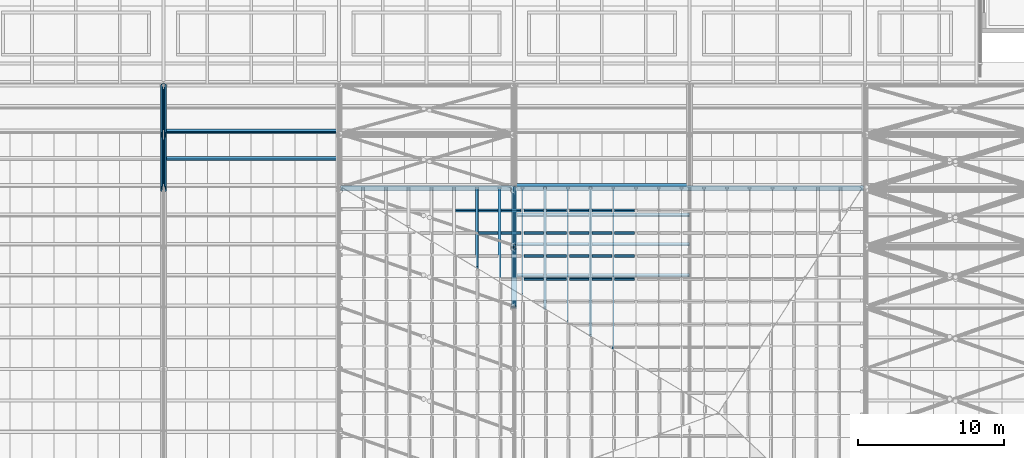
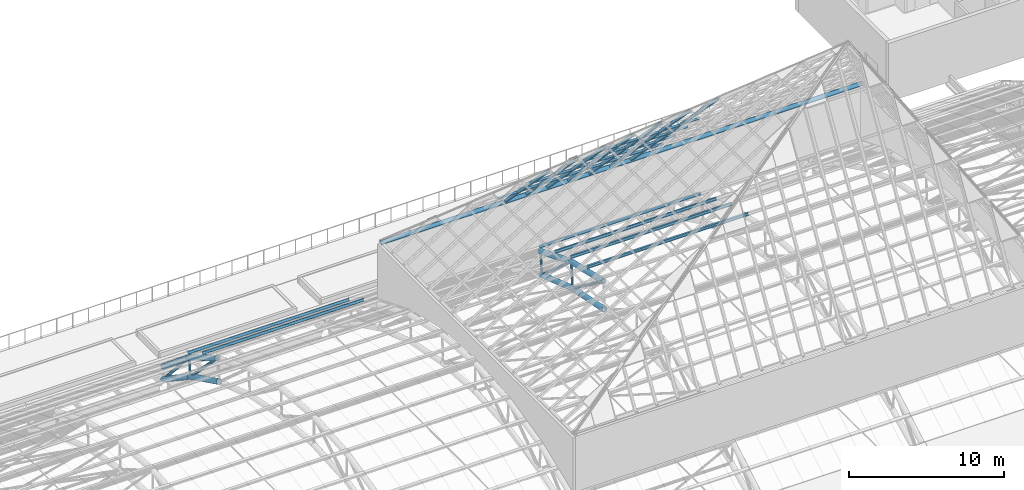
# One storey, part 23 of 110: 53 members, 1 beam.
"""IFC4 building model written with IfcOpenShell, lengths in metres."""

from ifc_helpers import new_model, si_unit, direction, frame, origin, origin_2d, place, context, subcontext, project, spatial, hollow_rectangle, hollow_circle, i_section, extrude, material, material_profile, profile_set, type_object, element, save


model = new_model("IFC4")

# Units and contexts
model_context = context("Model", 3, precision=1e-05, world=origin(), true_north=direction((0.0, 1.0)))
body_context = subcontext(model_context, "Body", "Model", "MODEL_VIEW")
ifc_project = project(units=[si_unit("LENGTHUNIT", "METRE"), si_unit("AREAUNIT", "SQUARE_METRE"), si_unit("VOLUMEUNIT", "CUBIC_METRE"), si_unit("PLANEANGLEUNIT", "RADIAN"), si_unit("MASSUNIT", "GRAM", prefix="KILO")], contexts=[model_context])

# Site, building, storey
site_placement = place(None, origin())
site = spatial("IfcSite", under=ifc_project, at=site_placement, CompositionType="ELEMENT")
building_placement = place(site_placement, origin())
building = spatial("IfcBuilding", under=site, at=building_placement, Name="Windward Yard Aquatics Centre", CompositionType="ELEMENT")
storey_placement = place(building_placement, frame((0.0, 0.0, 22.60009765625)))
storey = spatial("IfcBuildingStorey", under=building, at=storey_placement, Name="L05", CompositionType="ELEMENT", Elevation=22.60009765625)

# Members
ifc_material_1 = material(Name="Steel ASTM A500 Gr C", Category="steel")
ifc_material_profile_1 = material_profile(ifc_material_1, hollow_circle(Radius=0.084228515625, WallThickness=0.010986328125, at=origin_2d()), Name="HSS168.3X11")
ifc_profile_set_1 = profile_set([ifc_material_profile_1], Name="Steel ASTM A500 Gr C")
member_type_1 = type_object("IfcMemberType", Name="H arch post HSS168.3X11", PredefinedType="POST", material=ifc_profile_set_1)
member_1_placement = place(storey_placement, frame((84.0, 76.935302734375, 2.319580078125), z_axis=(0.0, 0.111745510026, 0.993736857015), x_axis=(-1.0, 0.0, 0.0)))
element("IfcMember", 1, at=member_1_placement, inside=storey, type_object=member_type_1, Name="H.AT.3.WP10", PredefinedType="POST", context=body_context, shape_type="SweptSolid", body=[
    extrude(hollow_circle(Radius=0.084228515625, WallThickness=0.010986328125, at=origin_2d()), origin(), (0.0, 0.0, 1.0), 1.406982421875),
])
member_2_placement = place(storey_placement, frame((108.0, 69.249755859375, 5.5087890625), z_axis=(0.0, 0.094018625473, 0.995570438525), x_axis=(-1.0, 0.0, 0.0)))
element("IfcMember", 2, at=member_2_placement, inside=storey, type_object=member_type_1, Name="H.AT.5.WP08", PredefinedType="POST", context=body_context, shape_type="SweptSolid", body=[
    extrude(hollow_circle(Radius=0.084228515625, WallThickness=0.010986328125, at=origin_2d()), origin(), (0.0, 0.0, 1.0), 1.996826171875),
])
member_3_placement = place(storey_placement, frame((108.0, 73.197265625, 4.16650390625), z_axis=(0.0, 0.121591772527, 0.992580193664), x_axis=(-1.0, 0.0, 0.0)))
element("IfcMember", 3, at=member_3_placement, inside=storey, type_object=member_type_1, Name="H.AT.5.WP09", PredefinedType="POST", context=body_context, shape_type="SweptSolid", body=[
    extrude(hollow_circle(Radius=0.084228515625, WallThickness=0.010986328125, at=origin_2d()), origin(), (0.0, 0.0, 1.0), 1.746826171875),
])
ifc_material_profile_2 = material_profile(ifc_material_1, hollow_circle(Radius=0.203125, WallThickness=0.015869140625, at=origin_2d()), Name="HSS406.4X15.9")
ifc_profile_set_2 = profile_set([ifc_material_profile_2], Name="Steel ASTM A500 Gr C")
member_type_2 = type_object("IfcMemberType", Name="H arch top chord HSS406.4X15.9", PredefinedType="CHORD", material=ifc_profile_set_2)
member_4_placement = place(storey_placement, frame((84.0, 73.40966796875, 5.900390625), z_axis=(0.0, 0.860273006082, -0.509833654251), x_axis=(-1.0, 0.0, 0.0)))
element("IfcMember", 4, at=member_4_placement, inside=storey, type_object=member_type_2, Name="H.AT.3.TC09", PredefinedType="CHORD", context=body_context, shape_type="SweptSolid", body=[
    extrude(hollow_circle(Radius=0.203125, WallThickness=0.015869140625, at=origin_2d()), origin(), (0.0, 0.0, 1.0), 4.281005859375),
])
member_5_placement = place(storey_placement, frame((84.0, 73.197265625, 4.16650390625), z_axis=(0.0, 0.896536837976, -0.4429691842), x_axis=(-1.0, 0.0, 0.0)))
element("IfcMember", 5, at=member_5_placement, inside=storey, type_object=member_type_2, Name="H.AT.3.BC09", PredefinedType="CHORD", context=body_context, shape_type="SweptSolid", body=[
    extrude(hollow_circle(Radius=0.203125, WallThickness=0.015869140625, at=origin_2d()), origin(), (0.0, 0.0, 1.0), 4.16943359375),
])
member_6_placement = place(storey_placement, frame((84.0, 77.092529296875, 3.7177734375), z_axis=(0.0, 0.772611352747, -0.634879277979), x_axis=(-1.0, 0.0, 0.0)))
element("IfcMember", 6, at=member_6_placement, inside=storey, type_object=member_type_2, Name="H.AT.3.TC10", PredefinedType="CHORD", context=body_context, shape_type="SweptSolid", body=[
    extrude(hollow_circle(Radius=0.203125, WallThickness=0.015869140625, at=origin_2d()), origin(), (0.0, 0.0, 1.0), 4.28076171875),
])
member_7_placement = place(storey_placement, frame((84.0, 76.935302734375, 2.319580078125), z_axis=(0.0, 0.83095865789, -0.556334170151), x_axis=(-1.0, 0.0, 0.0)))
element("IfcMember", 7, at=member_7_placement, inside=storey, type_object=member_type_2, Name="H.AT.3.BC10", PredefinedType="CHORD", context=body_context, shape_type="SweptSolid", body=[
    extrude(hollow_circle(Radius=0.203125, WallThickness=0.015869140625, at=origin_2d()), origin(), (0.0, 0.0, 1.0), 4.16943359375),
])
member_8_placement = place(storey_placement, frame((108.0, 65.2685546875, 8.4697265625), z_axis=(0.0, 0.973833637334, -0.227262066337), x_axis=(-1.0, 0.0, 0.0)))
element("IfcMember", 8, at=member_8_placement, inside=storey, type_object=member_type_2, Name="H.AT.5.TC07", PredefinedType="CHORD", context=body_context, shape_type="SweptSolid", body=[
    extrude(hollow_circle(Radius=0.203125, WallThickness=0.015869140625, at=origin_2d()), origin(), (0.0, 0.0, 1.0), 4.281005859375),
])
member_9_placement = place(storey_placement, frame((108.0, 65.16064453125, 6.323486328125), z_axis=(0.0, 0.980724544319, -0.195395414914), x_axis=(-1.0, 0.0, 0.0)))
element("IfcMember", 9, at=member_9_placement, inside=storey, type_object=member_type_2, Name="H.AT.5.BC07", PredefinedType="CHORD", context=body_context, shape_type="SweptSolid", body=[
    extrude(hollow_circle(Radius=0.203125, WallThickness=0.015869140625, at=origin_2d()), origin(), (0.0, 0.0, 1.0), 4.16943359375),
])
member_10_placement = place(storey_placement, frame((108.0, 69.4375, 7.496826171875), z_axis=(0.0, 0.92786581708, -0.372914233429), x_axis=(-1.0, 0.0, 0.0)))
element("IfcMember", 10, at=member_10_placement, inside=storey, type_object=member_type_2, Name="H.AT.5.TC08", PredefinedType="CHORD", context=body_context, shape_type="SweptSolid", body=[
    extrude(hollow_circle(Radius=0.203125, WallThickness=0.015869140625, at=origin_2d()), origin(), (0.0, 0.0, 1.0), 4.281005859375),
])
member_11_placement = place(storey_placement, frame((108.0, 69.249755859375, 5.5087890625), z_axis=(0.0, 0.946763107829, -0.321931075938), x_axis=(-1.0, 0.0, 0.0)))
element("IfcMember", 11, at=member_11_placement, inside=storey, type_object=member_type_2, Name="H.AT.5.BC08", PredefinedType="CHORD", context=body_context, shape_type="SweptSolid", body=[
    extrude(hollow_circle(Radius=0.203125, WallThickness=0.015869140625, at=origin_2d()), origin(), (0.0, 0.0, 1.0), 4.16943359375),
])
ifc_material_profile_3 = material_profile(ifc_material_1, hollow_circle(Radius=0.109619140625, WallThickness=0.00830078125, at=origin_2d()), Name="HSS219.1X8.2")
ifc_profile_set_3 = profile_set([ifc_material_profile_3], Name="Steel ASTM A500 Gr C")
member_type_3 = type_object("IfcMemberType", Name="H arch web diagonal HSS219.1X8.2", PredefinedType="BRACE", material=ifc_profile_set_3)
member_12_placement = place(storey_placement, frame((84.0, 73.40966796875, 5.900390625), z_axis=(0.0, 0.701595524129, -0.712575413919), x_axis=(-1.0, 0.0, 0.0)))
element("IfcMember", 12, at=member_12_placement, inside=storey, type_object=member_type_3, Name="H.AT.3.WD09", PredefinedType="BRACE", context=body_context, shape_type="SweptSolid", body=[
    extrude(hollow_circle(Radius=0.109619140625, WallThickness=0.00830078125, at=origin_2d()), origin(), (0.0, 0.0, 1.0), 5.025146484375),
])
member_13_placement = place(storey_placement, frame((84.0, 77.092529296875, 3.7177734375), z_axis=(0.0, 0.664665272452, -0.747141268835), x_axis=(-1.0, 0.0, 0.0)))
element("IfcMember", 13, at=member_13_placement, inside=storey, type_object=member_type_3, Name="H.AT.3.WD10", PredefinedType="BRACE", context=body_context, shape_type="SweptSolid", body=[
    extrude(hollow_circle(Radius=0.109619140625, WallThickness=0.00830078125, at=origin_2d()), origin(), (0.0, 0.0, 1.0), 4.97607421875),
])
member_14_placement = place(storey_placement, frame((108.0, 65.2685546875, 8.4697265625), z_axis=(0.0, 0.802408568981, -0.596775073563), x_axis=(-1.0, 0.0, 0.0)))
element("IfcMember", 14, at=member_14_placement, inside=storey, type_object=member_type_3, Name="H.AT.5.WD07", PredefinedType="BRACE", context=body_context, shape_type="SweptSolid", body=[
    extrude(hollow_circle(Radius=0.109619140625, WallThickness=0.00830078125, at=origin_2d()), origin(), (0.0, 0.0, 1.0), 4.961669921875),
])
member_15_placement = place(storey_placement, frame((108.0, 69.4375, 7.496826171875), z_axis=(0.0, 0.748564053538, -0.663062484047), x_axis=(-1.0, 0.0, 0.0)))
element("IfcMember", 15, at=member_15_placement, inside=storey, type_object=member_type_3, Name="H.AT.5.WD08", PredefinedType="BRACE", context=body_context, shape_type="SweptSolid", body=[
    extrude(hollow_circle(Radius=0.109619140625, WallThickness=0.00830078125, at=origin_2d()), origin(), (0.0, 0.0, 1.0), 5.022705078125),
])

# Beam
ifc_material_2 = material(Name="Steel ASTM A992 Gr 50", Category="steel")
ifc_material_profile_4 = material_profile(ifc_material_2, i_section(OverallWidth=0.202880859375, OverallDepth=0.302001953125, WebThickness=0.007568359375, FlangeThickness=0.01318359375, at=origin_2d()), Name="W310X60")
ifc_profile_set_4 = profile_set([ifc_material_profile_4], Name="Steel ASTM A992 Gr 50")
beam_type = type_object("IfcBeamType", Name="H lantern eave beam W310X60", PredefinedType="BEAM", material=ifc_profile_set_4)
beam_placement = place(storey_placement, frame((131.89990234375, 73.35498046875, 10.76416015625), z_axis=(-1.0, 0.0, 0.0), x_axis=(0.0, -0.695550485066, 0.718477224917)))
element("IfcBeam", 16, at=beam_placement, inside=storey, type_object=beam_type, Name="H.LN.E.03", PredefinedType="BEAM", context=body_context, shape_type="SweptSolid", body=[
    extrude(i_section(OverallWidth=0.202880859375, OverallDepth=0.302001953125, WebThickness=0.007568359375, FlangeThickness=0.01318359375, at=origin_2d()), origin(), (0.0, 0.0, 1.0), 35.7998046875),
])

# Members
ifc_material_profile_5 = material_profile(ifc_material_1, hollow_rectangle(XDim=0.15234375, YDim=0.15234375, WallThickness=0.009521484375, InnerFilletRadius=0.004638671875, OuterFilletRadius=0.01416015625, at=origin_2d()), Name="HSS152X152X9.5")
ifc_profile_set_5 = profile_set([ifc_material_profile_5], Name="Steel ASTM A500 Gr C")
member_type_4 = type_object("IfcMemberType", Name="H lantern purlin HSS152X152X9.5", PredefinedType="PURLIN", material=ifc_profile_set_5)
for number, where, z_axis, x_axis, name in (
    (17, (103.984130859375, 71.84765625, 12.4287109375), (1.0, 0.0, 0.0), (0.0, 0.695550485066, -0.718477224917), "H.LN.U.03.01.05"),
    (18, (105.540771484375, 71.84765625, 12.4287109375), (1.0, 0.0, 0.0), (0.0, 0.695550485066, -0.718477224917), "H.LN.U.03.01.06"),
    (19, (107.097412109375, 71.84765625, 12.4287109375), (1.0, 0.0, 0.0), (0.0, 0.695550485066, -0.718477224917), "H.LN.U.03.01.07"),
    (20, (108.65380859375, 71.84765625, 12.4287109375), (1.0, 0.0, 0.0), (0.0, 0.695550485066, -0.718477224917), "H.LN.U.03.01.08"),
):
    element("IfcMember", number, at=place(storey_placement, frame(where, z_axis=z_axis, x_axis=x_axis)), inside=storey, type_object=member_type_4, Name=name, PredefinedType="PURLIN", context=body_context, shape_type="SweptSolid", body=[
        extrude(hollow_rectangle(XDim=0.15234375, YDim=0.15234375, WallThickness=0.009521484375, InnerFilletRadius=0.004638671875, OuterFilletRadius=0.01416015625, at=origin_2d()), origin(), (0.0, 0.0, 1.0), 1.353271484375),
    ])
member_16_placement = place(storey_placement, frame((110.210205078125, 71.84765625, 12.4287109375), z_axis=(1.0, 0.0, 0.0), x_axis=(0.0, 0.695550485066, -0.718477224917)))
element("IfcMember", 21, at=member_16_placement, inside=storey, type_object=member_type_4, Name="H.LN.U.03.01.09", PredefinedType="PURLIN", context=body_context, shape_type="SweptSolid", body=[
    extrude(hollow_rectangle(XDim=0.15234375, YDim=0.15234375, WallThickness=0.009521484375, InnerFilletRadius=0.004638671875, OuterFilletRadius=0.01416015625, at=origin_2d()), origin(), (0.0, 0.0, 1.0), 1.353515625),
])
member_17_placement = place(storey_placement, frame((111.766845703125, 71.84765625, 12.4287109375), z_axis=(1.0, 0.0, 0.0), x_axis=(0.0, 0.695550485066, -0.718477224917)))
element("IfcMember", 22, at=member_17_placement, inside=storey, type_object=member_type_4, Name="H.LN.U.03.01.10", PredefinedType="PURLIN", context=body_context, shape_type="SweptSolid", body=[
    extrude(hollow_rectangle(XDim=0.15234375, YDim=0.15234375, WallThickness=0.009521484375, InnerFilletRadius=0.004638671875, OuterFilletRadius=0.01416015625, at=origin_2d()), origin(), (0.0, 0.0, 1.0), 1.353271484375),
])
member_18_placement = place(storey_placement, frame((113.3232421875, 71.84765625, 12.4287109375), z_axis=(1.0, 0.0, 0.0), x_axis=(0.0, 0.695550485066, -0.718477224917)))
element("IfcMember", 23, at=member_18_placement, inside=storey, type_object=member_type_4, Name="H.LN.U.03.01.11", PredefinedType="PURLIN", context=body_context, shape_type="SweptSolid", body=[
    extrude(hollow_rectangle(XDim=0.15234375, YDim=0.15234375, WallThickness=0.009521484375, InnerFilletRadius=0.004638671875, OuterFilletRadius=0.01416015625, at=origin_2d()), origin(), (0.0, 0.0, 1.0), 1.353515625),
])
for number, where, z_axis, x_axis, name in (
    (24, (114.8798828125, 71.84765625, 12.4287109375), (1.0, 0.0, 0.0), (0.0, 0.695550485066, -0.718477224917), "H.LN.U.03.01.12"),
    (25, (105.540771484375, 70.28662109375, 14.04150390625), (1.0, 0.0, 0.0), (0.0, 0.695550485066, -0.718477224917), "H.LN.U.03.02.04"),
    (26, (107.097412109375, 70.28662109375, 14.04150390625), (1.0, 0.0, 0.0), (0.0, 0.695550485066, -0.718477224917), "H.LN.U.03.02.05"),
    (27, (108.65380859375, 70.28662109375, 14.04150390625), (1.0, 0.0, 0.0), (0.0, 0.695550485066, -0.718477224917), "H.LN.U.03.02.06"),
):
    element("IfcMember", number, at=place(storey_placement, frame(where, z_axis=z_axis, x_axis=x_axis)), inside=storey, type_object=member_type_4, Name=name, PredefinedType="PURLIN", context=body_context, shape_type="SweptSolid", body=[
        extrude(hollow_rectangle(XDim=0.15234375, YDim=0.15234375, WallThickness=0.009521484375, InnerFilletRadius=0.004638671875, OuterFilletRadius=0.01416015625, at=origin_2d()), origin(), (0.0, 0.0, 1.0), 1.353271484375),
    ])
member_19_placement = place(storey_placement, frame((110.210205078125, 70.28662109375, 14.04150390625), z_axis=(1.0, 0.0, 0.0), x_axis=(0.0, 0.695550485066, -0.718477224917)))
element("IfcMember", 28, at=member_19_placement, inside=storey, type_object=member_type_4, Name="H.LN.U.03.02.07", PredefinedType="PURLIN", context=body_context, shape_type="SweptSolid", body=[
    extrude(hollow_rectangle(XDim=0.15234375, YDim=0.15234375, WallThickness=0.009521484375, InnerFilletRadius=0.004638671875, OuterFilletRadius=0.01416015625, at=origin_2d()), origin(), (0.0, 0.0, 1.0), 1.353515625),
])
member_20_placement = place(storey_placement, frame((111.766845703125, 70.28662109375, 14.04150390625), z_axis=(1.0, 0.0, 0.0), x_axis=(0.0, 0.695550485066, -0.718477224917)))
element("IfcMember", 29, at=member_20_placement, inside=storey, type_object=member_type_4, Name="H.LN.U.03.02.08", PredefinedType="PURLIN", context=body_context, shape_type="SweptSolid", body=[
    extrude(hollow_rectangle(XDim=0.15234375, YDim=0.15234375, WallThickness=0.009521484375, InnerFilletRadius=0.004638671875, OuterFilletRadius=0.01416015625, at=origin_2d()), origin(), (0.0, 0.0, 1.0), 1.353271484375),
])
member_21_placement = place(storey_placement, frame((113.3232421875, 70.28662109375, 14.04150390625), z_axis=(1.0, 0.0, 0.0), x_axis=(0.0, 0.695550485066, -0.718477224917)))
element("IfcMember", 30, at=member_21_placement, inside=storey, type_object=member_type_4, Name="H.LN.U.03.02.09", PredefinedType="PURLIN", context=body_context, shape_type="SweptSolid", body=[
    extrude(hollow_rectangle(XDim=0.15234375, YDim=0.15234375, WallThickness=0.009521484375, InnerFilletRadius=0.004638671875, OuterFilletRadius=0.01416015625, at=origin_2d()), origin(), (0.0, 0.0, 1.0), 1.353515625),
])
for number, where, z_axis, x_axis, name in (
    (31, (114.8798828125, 70.28662109375, 14.04150390625), (1.0, 0.0, 0.0), (0.0, 0.695550485066, -0.718477224917), "H.LN.U.03.02.10"),
    (32, (108.65380859375, 68.725341796875, 15.654052734375), (1.0, 0.0, 0.0), (0.0, 0.695550485066, -0.718477224917), "H.LN.U.03.03.04"),
):
    element("IfcMember", number, at=place(storey_placement, frame(where, z_axis=z_axis, x_axis=x_axis)), inside=storey, type_object=member_type_4, Name=name, PredefinedType="PURLIN", context=body_context, shape_type="SweptSolid", body=[
        extrude(hollow_rectangle(XDim=0.15234375, YDim=0.15234375, WallThickness=0.009521484375, InnerFilletRadius=0.004638671875, OuterFilletRadius=0.01416015625, at=origin_2d()), origin(), (0.0, 0.0, 1.0), 1.353271484375),
    ])
member_22_placement = place(storey_placement, frame((110.210205078125, 68.725341796875, 15.654052734375), z_axis=(1.0, 0.0, 0.0), x_axis=(0.0, 0.695550485066, -0.718477224917)))
element("IfcMember", 33, at=member_22_placement, inside=storey, type_object=member_type_4, Name="H.LN.U.03.03.05", PredefinedType="PURLIN", context=body_context, shape_type="SweptSolid", body=[
    extrude(hollow_rectangle(XDim=0.15234375, YDim=0.15234375, WallThickness=0.009521484375, InnerFilletRadius=0.004638671875, OuterFilletRadius=0.01416015625, at=origin_2d()), origin(), (0.0, 0.0, 1.0), 1.353515625),
])
member_23_placement = place(storey_placement, frame((111.766845703125, 68.725341796875, 15.654052734375), z_axis=(1.0, 0.0, 0.0), x_axis=(0.0, 0.695550485066, -0.718477224917)))
element("IfcMember", 34, at=member_23_placement, inside=storey, type_object=member_type_4, Name="H.LN.U.03.03.06", PredefinedType="PURLIN", context=body_context, shape_type="SweptSolid", body=[
    extrude(hollow_rectangle(XDim=0.15234375, YDim=0.15234375, WallThickness=0.009521484375, InnerFilletRadius=0.004638671875, OuterFilletRadius=0.01416015625, at=origin_2d()), origin(), (0.0, 0.0, 1.0), 1.353271484375),
])
member_24_placement = place(storey_placement, frame((113.3232421875, 68.725341796875, 15.654052734375), z_axis=(1.0, 0.0, 0.0), x_axis=(0.0, 0.695550485066, -0.718477224917)))
element("IfcMember", 35, at=member_24_placement, inside=storey, type_object=member_type_4, Name="H.LN.U.03.03.07", PredefinedType="PURLIN", context=body_context, shape_type="SweptSolid", body=[
    extrude(hollow_rectangle(XDim=0.15234375, YDim=0.15234375, WallThickness=0.009521484375, InnerFilletRadius=0.004638671875, OuterFilletRadius=0.01416015625, at=origin_2d()), origin(), (0.0, 0.0, 1.0), 1.353515625),
])
for number, where, z_axis, x_axis, name in (
    (36, (114.8798828125, 68.725341796875, 15.654052734375), (1.0, 0.0, 0.0), (0.0, 0.695550485066, -0.718477224917), "H.LN.U.03.03.08"),
    (37, (108.65380859375, 67.1640625, 17.266845703125), (1.0, 0.0, 0.0), (0.0, 0.695550485066, -0.718477224917), "H.LN.U.03.04.03"),
):
    element("IfcMember", number, at=place(storey_placement, frame(where, z_axis=z_axis, x_axis=x_axis)), inside=storey, type_object=member_type_4, Name=name, PredefinedType="PURLIN", context=body_context, shape_type="SweptSolid", body=[
        extrude(hollow_rectangle(XDim=0.15234375, YDim=0.15234375, WallThickness=0.009521484375, InnerFilletRadius=0.004638671875, OuterFilletRadius=0.01416015625, at=origin_2d()), origin(), (0.0, 0.0, 1.0), 1.353271484375),
    ])
member_25_placement = place(storey_placement, frame((110.210205078125, 67.1640625, 17.266845703125), z_axis=(1.0, 0.0, 0.0), x_axis=(0.0, 0.695550485066, -0.718477224917)))
element("IfcMember", 38, at=member_25_placement, inside=storey, type_object=member_type_4, Name="H.LN.U.03.04.04", PredefinedType="PURLIN", context=body_context, shape_type="SweptSolid", body=[
    extrude(hollow_rectangle(XDim=0.15234375, YDim=0.15234375, WallThickness=0.009521484375, InnerFilletRadius=0.004638671875, OuterFilletRadius=0.01416015625, at=origin_2d()), origin(), (0.0, 0.0, 1.0), 1.353515625),
])
member_26_placement = place(storey_placement, frame((111.766845703125, 67.1640625, 17.266845703125), z_axis=(1.0, 0.0, 0.0), x_axis=(0.0, 0.695550485066, -0.718477224917)))
element("IfcMember", 39, at=member_26_placement, inside=storey, type_object=member_type_4, Name="H.LN.U.03.04.05", PredefinedType="PURLIN", context=body_context, shape_type="SweptSolid", body=[
    extrude(hollow_rectangle(XDim=0.15234375, YDim=0.15234375, WallThickness=0.009521484375, InnerFilletRadius=0.004638671875, OuterFilletRadius=0.01416015625, at=origin_2d()), origin(), (0.0, 0.0, 1.0), 1.353271484375),
])
member_27_placement = place(storey_placement, frame((113.3232421875, 67.1640625, 17.266845703125), z_axis=(1.0, 0.0, 0.0), x_axis=(0.0, 0.695550485066, -0.718477224917)))
element("IfcMember", 40, at=member_27_placement, inside=storey, type_object=member_type_4, Name="H.LN.U.03.04.06", PredefinedType="PURLIN", context=body_context, shape_type="SweptSolid", body=[
    extrude(hollow_rectangle(XDim=0.15234375, YDim=0.15234375, WallThickness=0.009521484375, InnerFilletRadius=0.004638671875, OuterFilletRadius=0.01416015625, at=origin_2d()), origin(), (0.0, 0.0, 1.0), 1.353515625),
])
member_28_placement = place(storey_placement, frame((114.8798828125, 67.1640625, 17.266845703125), z_axis=(1.0, 0.0, 0.0), x_axis=(0.0, 0.695550485066, -0.718477224917)))
element("IfcMember", 41, at=member_28_placement, inside=storey, type_object=member_type_4, Name="H.LN.U.03.04.07", PredefinedType="PURLIN", context=body_context, shape_type="SweptSolid", body=[
    extrude(hollow_rectangle(XDim=0.15234375, YDim=0.15234375, WallThickness=0.009521484375, InnerFilletRadius=0.004638671875, OuterFilletRadius=0.01416015625, at=origin_2d()), origin(), (0.0, 0.0, 1.0), 1.353271484375),
])
ifc_material_profile_6 = material_profile(ifc_material_1, hollow_rectangle(XDim=0.203125, YDim=0.203125, WallThickness=0.009521484375, InnerFilletRadius=0.004638671875, OuterFilletRadius=0.01416015625, at=origin_2d()), Name="HSS203X203X9.5")
ifc_profile_set_6 = profile_set([ifc_material_profile_6], Name="Steel ASTM A500 Gr C")
member_type_5 = type_object("IfcMemberType", Name="H lantern rafter HSS203X203X9.5", PredefinedType="RAFTER", material=ifc_profile_set_6)
member_29_placement = place(storey_placement, frame((105.439208984375, 73.390625, 10.798583984375), z_axis=(0.0, -0.695565355255, 0.71846282894), x_axis=(1.0, 0.0, 0.0)))
element("IfcMember", 42, at=member_29_placement, inside=storey, type_object=member_type_5, Name="H.LN.R.03.06", PredefinedType="RAFTER", context=body_context, shape_type="SweptSolid", body=[
    extrude(hollow_rectangle(XDim=0.203125, YDim=0.203125, WallThickness=0.009521484375, InnerFilletRadius=0.004638671875, OuterFilletRadius=0.01416015625, at=origin_2d()), origin(), (0.0, 0.0, 1.0), 7.826171875),
])
member_30_placement = place(storey_placement, frame((106.99560546875, 73.390625, 10.798583984375), z_axis=(0.0, -0.695558978555, 0.71846900236), x_axis=(1.0, 0.0, 0.0)))
element("IfcMember", 43, at=member_30_placement, inside=storey, type_object=member_type_5, Name="H.LN.R.03.07", PredefinedType="RAFTER", context=body_context, shape_type="SweptSolid", body=[
    extrude(hollow_rectangle(XDim=0.203125, YDim=0.203125, WallThickness=0.009521484375, InnerFilletRadius=0.004638671875, OuterFilletRadius=0.01416015625, at=origin_2d()), origin(), (0.0, 0.0, 1.0), 9.16455078125),
])
member_31_placement = place(storey_placement, frame((108.55224609375, 73.390625, 10.798583984375), z_axis=(0.0, -0.695565843422, 0.718462356331), x_axis=(1.0, 0.0, 0.0)))
element("IfcMember", 44, at=member_31_placement, inside=storey, type_object=member_type_5, Name="H.LN.R.03.08", PredefinedType="RAFTER", context=body_context, shape_type="SweptSolid", body=[
    extrude(hollow_rectangle(XDim=0.203125, YDim=0.203125, WallThickness=0.009521484375, InnerFilletRadius=0.004638671875, OuterFilletRadius=0.01416015625, at=origin_2d()), origin(), (0.0, 0.0, 1.0), 10.5029296875),
])
member_32_placement = place(storey_placement, frame((110.108642578125, 73.390625, 10.798583984375), z_axis=(0.0, -0.695560852987, 0.718467187694), x_axis=(1.0, 0.0, 0.0)))
element("IfcMember", 45, at=member_32_placement, inside=storey, type_object=member_type_5, Name="H.LN.R.03.09", PredefinedType="RAFTER", context=body_context, shape_type="SweptSolid", body=[
    extrude(hollow_rectangle(XDim=0.203125, YDim=0.203125, WallThickness=0.009521484375, InnerFilletRadius=0.004638671875, OuterFilletRadius=0.01416015625, at=origin_2d()), origin(), (0.0, 0.0, 1.0), 11.84130859375),
])
member_33_placement = place(storey_placement, frame((111.665283203125, 73.390625, 10.798583984375), z_axis=(0.0, -0.695556876109, 0.718471037758), x_axis=(1.0, 0.0, 0.0)))
element("IfcMember", 46, at=member_33_placement, inside=storey, type_object=member_type_5, Name="H.LN.R.03.10", PredefinedType="RAFTER", context=body_context, shape_type="SweptSolid", body=[
    extrude(hollow_rectangle(XDim=0.203125, YDim=0.203125, WallThickness=0.009521484375, InnerFilletRadius=0.004638671875, OuterFilletRadius=0.01416015625, at=origin_2d()), origin(), (0.0, 0.0, 1.0), 13.1796875),
])
member_34_placement = place(storey_placement, frame((113.2216796875, 73.390625, 10.798583984375), z_axis=(0.0, -0.695553355542, 0.718474446028), x_axis=(1.0, 0.0, 0.0)))
element("IfcMember", 47, at=member_34_placement, inside=storey, type_object=member_type_5, Name="H.LN.R.03.11", PredefinedType="RAFTER", context=body_context, shape_type="SweptSolid", body=[
    extrude(hollow_rectangle(XDim=0.203125, YDim=0.203125, WallThickness=0.009521484375, InnerFilletRadius=0.004638671875, OuterFilletRadius=0.01416015625, at=origin_2d()), origin(), (0.0, 0.0, 1.0), 14.517822265625),
])
member_35_placement = place(storey_placement, frame((114.7783203125, 73.390625, 10.798583984375), z_axis=(0.0, -0.695550682794, 0.718477033498), x_axis=(1.0, 0.0, 0.0)))
element("IfcMember", 48, at=member_35_placement, inside=storey, type_object=member_type_5, Name="H.LN.R.03.12", PredefinedType="RAFTER", context=body_context, shape_type="SweptSolid", body=[
    extrude(hollow_rectangle(XDim=0.203125, YDim=0.203125, WallThickness=0.009521484375, InnerFilletRadius=0.004638671875, OuterFilletRadius=0.01416015625, at=origin_2d()), origin(), (0.0, 0.0, 1.0), 15.856201171875),
])
ifc_material_profile_7 = material_profile(ifc_material_2, i_section(OverallWidth=0.202880859375, OverallDepth=0.202880859375, WebThickness=0.00732421875, FlangeThickness=0.010986328125, at=origin_2d()), Name="W200X46.1")
ifc_profile_set_7 = profile_set([ifc_material_profile_7], Name="Steel ASTM A992 Gr 50")
member_type_6 = type_object("IfcMemberType", Name="H roof purlin W200X46.1", PredefinedType="PURLIN", material=ifc_profile_set_7)
for number, where, z_axis, x_axis, name in (
    (49, (84.0, 75.406494140625, 5.0712890625), (1.0, 0.0, 0.0), (0.0, 0.860270260664, -0.509838286732), "H.PU.3.18"),
    (50, (84.0, 77.267333984375, 3.96728515625), (1.0, 0.0, 0.0), (0.0, 0.818830898872, -0.574034806481), "H.PU.3.19"),
    (51, (108.0, 67.422119140625, 8.280029296875), (1.0, 0.0, 0.0), (0.0, 0.973829299376, -0.227280653986), "H.PU.5.14"),
    (52, (108.0, 69.529052734375, 7.787353515625), (1.0, 0.0, 0.0), (0.0, 0.953632764452, -0.300972674115), "H.PU.5.15"),
    (53, (108.0, 71.537109375, 6.9814453125), (1.0, 0.0, 0.0), (0.0, 0.927868526784, -0.372907491214), "H.PU.5.16"),
    (54, (108.0, 73.54443359375, 6.173583984375), (1.0, 0.0, 0.0), (0.0, 0.896687008655, -0.44266512005), "H.PU.5.17"),
):
    element("IfcMember", number, at=place(storey_placement, frame(where, z_axis=z_axis, x_axis=x_axis)), inside=storey, type_object=member_type_6, Name=name, PredefinedType="PURLIN", context=body_context, shape_type="SweptSolid", body=[
        extrude(i_section(OverallWidth=0.202880859375, OverallDepth=0.202880859375, WebThickness=0.00732421875, FlangeThickness=0.010986328125, at=origin_2d()), origin(), (0.0, 0.0, 1.0), 12.0),
    ])

save(model, "model.ifc")
